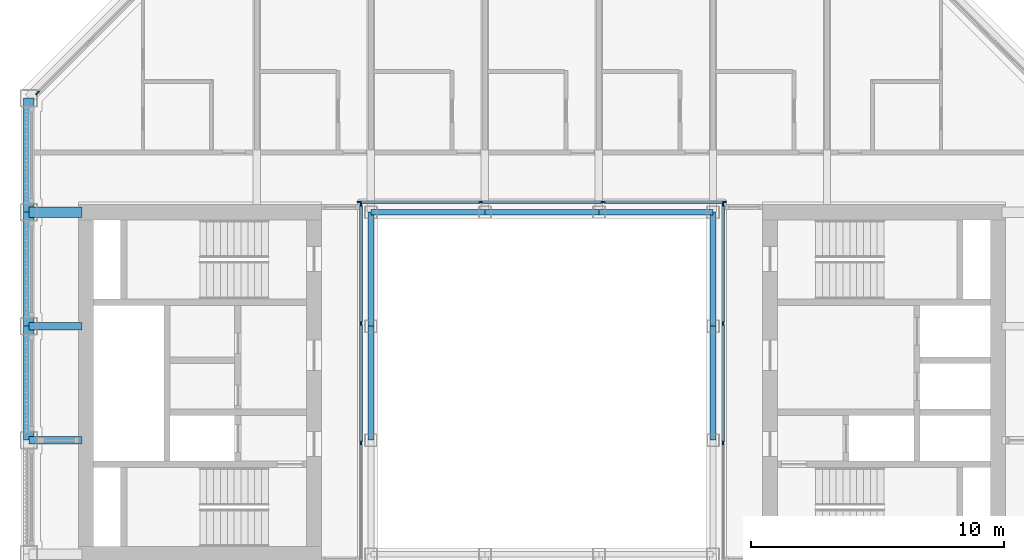
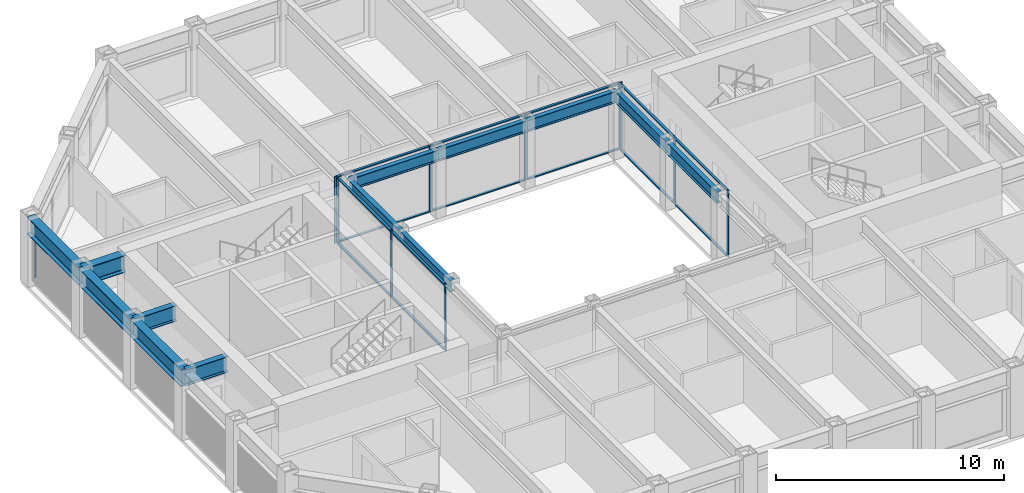
# One storey, part 4 of 18: 25 members, 13 beams, 4 elements without a shape of their own.
"""IFC4 building model written with IfcOpenShell, lengths in metres."""

from ifc_helpers import new_model, si_unit, direction, frame, origin, origin_2d, place, context, subcontext, project, spatial, rectangle, i_section, extrude, material, material_profile, profile_set, type_object, element, aggregate, save


model = new_model("IFC4")

# Units and contexts
model_context = context("Model", 3, precision=1e-05, world=origin(), true_north=direction((0.0, 1.0)))
body_context = subcontext(model_context, "Body", "Model", "MODEL_VIEW")
ifc_project = project(units=[si_unit("LENGTHUNIT", "METRE"), si_unit("AREAUNIT", "SQUARE_METRE"), si_unit("VOLUMEUNIT", "CUBIC_METRE"), si_unit("PLANEANGLEUNIT", "RADIAN"), si_unit("MASSUNIT", "GRAM", prefix="KILO")], contexts=[model_context])

# Site, building, storey
site_placement = place(None, origin())
site = spatial("IfcSite", under=ifc_project, at=site_placement, CompositionType="ELEMENT")
building_placement = place(site_placement, origin())
building = spatial("IfcBuilding", under=site, at=building_placement, Name="Msasa Ring Tower", CompositionType="ELEMENT")
storey_placement = place(building_placement, frame((0.0, 0.0, 204.550048828125)))
storey = spatial("IfcBuildingStorey", under=building, at=storey_placement, Name="L53", CompositionType="ELEMENT", Elevation=204.550048828125)

# Curtain wall, member
ifc_material_1 = material(Name="Aluminium curtain wall with clear glass", Category="aluminium")
curtain_wall_type_1 = type_object("IfcCurtainWallType", Name="CW-C CHAMFER CORNER CURTAIN WALL", PredefinedType="NOTDEFINED", material=ifc_material_1)
curtain_wall_1_placement = place(storey_placement, origin())
curtain_wall_1 = element("IfcCurtainWall", 1, at=curtain_wall_1_placement, inside=storey, type_object=curtain_wall_type_1, Name="Chamfer corner curtain wall NW L53", PredefinedType="NOTDEFINED")
ifc_material_2 = material(Name="Aluminium mullion", Category="aluminium")
ifc_material_profile_1 = material_profile(ifc_material_2, rectangle(XDim=0.06494140625, YDim=0.179931640625, at=origin_2d()), Name="AL 65x180")
ifc_profile_set_1 = profile_set([ifc_material_profile_1], Name="Aluminium mullion")
member_type_1 = type_object("IfcMemberType", Name="CW-C MULLION 65x180", PredefinedType="MULLION", material=ifc_profile_set_1)
member_1_placement = place(storey_placement, frame((-19.9052734375, 11.453369140625, 0.0), z_axis=(0.0, 0.0, 1.0), x_axis=(0.707106781187, -0.707106781187, 0.0)))
member_1 = element("IfcMember", 2, at=member_1_placement, type_object=member_type_1, Name="CW-C mullion 3", PredefinedType="MULLION", context=body_context, shape_type="SweptSolid", body=[
    extrude(rectangle(XDim=0.06494140625, YDim=0.179931640625, at=origin_2d()), origin(), (0.0, 0.0, 1.0), 2.62890625),
])
aggregate(curtain_wall_1, [member_1])

# Curtain wall, members
ifc_material_3 = material(Name="Aluminium curtain wall with clear glass", Category="aluminium")
curtain_wall_type_2 = type_object("IfcCurtainWallType", Name="CW-W LIGHT WELL CURTAIN WALL", PredefinedType="NOTDEFINED", material=ifc_material_3)
curtain_wall_2_placement = place(storey_placement, origin())
curtain_wall_2 = element("IfcCurtainWall", 3, at=curtain_wall_2_placement, inside=storey, type_object=curtain_wall_type_2, Name="Light well curtain wall N L53", PredefinedType="NOTDEFINED")
ifc_material_4 = material(Name="Aluminium mullion", Category="aluminium")
ifc_material_profile_2 = material_profile(ifc_material_4, rectangle(XDim=0.06005859375, YDim=0.159912109375, at=origin_2d()), Name="AL 60x160")
ifc_profile_set_2 = profile_set([ifc_material_profile_2], Name="Aluminium mullion")
member_type_2 = type_object("IfcMemberType", Name="CW-W MULLION 60x160", PredefinedType="MULLION", material=ifc_profile_set_2)
member_2_placement = place(storey_placement, frame((-7.199951171875, 7.14990234375, 0.0), z_axis=(0.0, 0.0, 1.0), x_axis=(0.0, 1.0, 0.0)))
member_2 = element("IfcMember", 4, at=member_2_placement, type_object=member_type_2, Name="CW-W mullion 1", PredefinedType="MULLION", context=body_context, shape_type="SweptSolid", body=[
    extrude(rectangle(XDim=0.06005859375, YDim=0.159912109375, at=origin_2d()), origin(), (0.0, 0.0, 1.0), 3.550048828125),
])
member_3_placement = place(storey_placement, frame((-2.409912109375, 7.14990234375, 0.0), z_axis=(0.0, 0.0, 1.0), x_axis=(0.0, 1.0, 0.0)))
member_3 = element("IfcMember", 5, at=member_3_placement, type_object=member_type_2, Name="CW-W mullion 2", PredefinedType="MULLION", context=body_context, shape_type="SweptSolid", body=[
    extrude(rectangle(XDim=0.06005859375, YDim=0.159912109375, at=origin_2d()), origin(), (0.0, 0.0, 1.0), 3.550048828125),
])
member_4_placement = place(storey_placement, frame((2.409912109375, 7.14990234375, 0.0), z_axis=(0.0, 0.0, 1.0), x_axis=(0.0, 1.0, 0.0)))
member_4 = element("IfcMember", 6, at=member_4_placement, type_object=member_type_2, Name="CW-W mullion 3", PredefinedType="MULLION", context=body_context, shape_type="SweptSolid", body=[
    extrude(rectangle(XDim=0.06005859375, YDim=0.159912109375, at=origin_2d()), origin(), (0.0, 0.0, 1.0), 3.550048828125),
])
member_5_placement = place(storey_placement, frame((7.199951171875, 7.14990234375, 0.0), z_axis=(0.0, 0.0, 1.0), x_axis=(0.0, 1.0, 0.0)))
member_5 = element("IfcMember", 7, at=member_5_placement, type_object=member_type_2, Name="CW-W mullion 4", PredefinedType="MULLION", context=body_context, shape_type="SweptSolid", body=[
    extrude(rectangle(XDim=0.06005859375, YDim=0.159912109375, at=origin_2d()), origin(), (0.0, 0.0, 1.0), 3.550048828125),
])

curtain_wall_3_placement = place(storey_placement, origin())
curtain_wall_3 = element("IfcCurtainWall", 8, at=curtain_wall_3_placement, inside=storey, type_object=curtain_wall_type_2, Name="Light well curtain wall E L53", PredefinedType="NOTDEFINED")
member_6_placement = place(storey_placement, frame((7.14990234375, -2.356689453125, 0.0), z_axis=(0.0, 0.0, 1.0), x_axis=(-1.0, 0.0, 0.0)))
member_6 = element("IfcMember", 9, at=member_6_placement, type_object=member_type_2, Name="CW-W mullion 2", PredefinedType="MULLION", context=body_context, shape_type="SweptSolid", body=[
    extrude(rectangle(XDim=0.06005859375, YDim=0.159912109375, at=origin_2d()), origin(), (0.0, 0.0, 1.0), 3.550048828125),
])
member_7_placement = place(storey_placement, frame((7.14990234375, 2.356689453125, 0.0), z_axis=(0.0, 0.0, 1.0), x_axis=(-1.0, 0.0, 0.0)))
member_7 = element("IfcMember", 10, at=member_7_placement, type_object=member_type_2, Name="CW-W mullion 3", PredefinedType="MULLION", context=body_context, shape_type="SweptSolid", body=[
    extrude(rectangle(XDim=0.06005859375, YDim=0.159912109375, at=origin_2d()), origin(), (0.0, 0.0, 1.0), 3.550048828125),
])
member_8_placement = place(storey_placement, frame((7.14990234375, 7.0400390625, 0.0), z_axis=(0.0, 0.0, 1.0), x_axis=(-1.0, 0.0, 0.0)))
member_8 = element("IfcMember", 11, at=member_8_placement, type_object=member_type_2, Name="CW-W mullion 4", PredefinedType="MULLION", context=body_context, shape_type="SweptSolid", body=[
    extrude(rectangle(XDim=0.06005859375, YDim=0.159912109375, at=origin_2d()), origin(), (0.0, 0.0, 1.0), 3.550048828125),
])

curtain_wall_4_placement = place(storey_placement, origin())
curtain_wall_4 = element("IfcCurtainWall", 12, at=curtain_wall_4_placement, inside=storey, type_object=curtain_wall_type_2, Name="Light well curtain wall W L53", PredefinedType="NOTDEFINED")
member_9_placement = place(storey_placement, frame((-7.14990234375, -2.356689453125, 0.0), z_axis=(0.0, 0.0, 1.0), x_axis=(-1.0, 0.0, 0.0)))
member_9 = element("IfcMember", 13, at=member_9_placement, type_object=member_type_2, Name="CW-W mullion 2", PredefinedType="MULLION", context=body_context, shape_type="SweptSolid", body=[
    extrude(rectangle(XDim=0.06005859375, YDim=0.159912109375, at=origin_2d()), origin(), (0.0, 0.0, 1.0), 3.550048828125),
])
member_10_placement = place(storey_placement, frame((-7.14990234375, 2.356689453125, 0.0), z_axis=(0.0, 0.0, 1.0), x_axis=(-1.0, 0.0, 0.0)))
member_10 = element("IfcMember", 14, at=member_10_placement, type_object=member_type_2, Name="CW-W mullion 3", PredefinedType="MULLION", context=body_context, shape_type="SweptSolid", body=[
    extrude(rectangle(XDim=0.06005859375, YDim=0.159912109375, at=origin_2d()), origin(), (0.0, 0.0, 1.0), 3.550048828125),
])
member_11_placement = place(storey_placement, frame((-7.14990234375, 7.0400390625, 0.0), z_axis=(0.0, 0.0, 1.0), x_axis=(-1.0, 0.0, 0.0)))
member_11 = element("IfcMember", 15, at=member_11_placement, type_object=member_type_2, Name="CW-W mullion 4", PredefinedType="MULLION", context=body_context, shape_type="SweptSolid", body=[
    extrude(rectangle(XDim=0.06005859375, YDim=0.159912109375, at=origin_2d()), origin(), (0.0, 0.0, 1.0), 3.550048828125),
])

# Member
ifc_material_5 = material(Name="Aluminium transom", Category="aluminium")
ifc_material_profile_3 = material_profile(ifc_material_5, rectangle(XDim=0.1201171875, YDim=0.06005859375, at=origin_2d()), Name="AL 60x120")
ifc_profile_set_3 = profile_set([ifc_material_profile_3], Name="Aluminium transom")
member_type_3 = type_object("IfcMemberType", Name="CW-W TRANSOM 60x120", PredefinedType="USERDEFINED", material=ifc_profile_set_3)
member_12_placement = place(storey_placement, frame((-7.169921875, 7.14990234375, 0.030029296875), z_axis=(1.0, 0.0, 0.0), x_axis=(0.0, 1.0, 0.0)))
member_12 = element("IfcMember", 16, at=member_12_placement, type_object=member_type_3, Name="CW-W transom 1.1", ObjectType="TRANSOM", PredefinedType="USERDEFINED", context=body_context, shape_type="SweptSolid", body=[
    extrude(rectangle(XDim=0.1201171875, YDim=0.06005859375, at=origin_2d()), origin(), (0.0, 0.0, 1.0), 4.72998046875),
])

member_13_placement = place(storey_placement, frame((-7.169921875, 7.14990234375, 3.52001953125), z_axis=(1.0, 0.0, 0.0), x_axis=(0.0, 1.0, 0.0)))
member_13 = element("IfcMember", 17, at=member_13_placement, type_object=member_type_3, Name="CW-W transom 1.2", ObjectType="TRANSOM", PredefinedType="USERDEFINED", context=body_context, shape_type="SweptSolid", body=[
    extrude(rectangle(XDim=0.1201171875, YDim=0.06005859375, at=origin_2d()), origin(), (0.0, 0.0, 1.0), 4.72998046875),
])

member_14_placement = place(storey_placement, frame((-2.3798828125, 7.14990234375, 0.030029296875), z_axis=(1.0, 0.0, 0.0), x_axis=(0.0, 1.0, 0.0)))
member_14 = element("IfcMember", 18, at=member_14_placement, type_object=member_type_3, Name="CW-W transom 2.1", ObjectType="TRANSOM", PredefinedType="USERDEFINED", context=body_context, shape_type="SweptSolid", body=[
    extrude(rectangle(XDim=0.1201171875, YDim=0.06005859375, at=origin_2d()), origin(), (0.0, 0.0, 1.0), 4.759765625),
])

member_15_placement = place(storey_placement, frame((-2.3798828125, 7.14990234375, 3.52001953125), z_axis=(1.0, 0.0, 0.0), x_axis=(0.0, 1.0, 0.0)))
member_15 = element("IfcMember", 19, at=member_15_placement, type_object=member_type_3, Name="CW-W transom 2.2", ObjectType="TRANSOM", PredefinedType="USERDEFINED", context=body_context, shape_type="SweptSolid", body=[
    extrude(rectangle(XDim=0.1201171875, YDim=0.06005859375, at=origin_2d()), origin(), (0.0, 0.0, 1.0), 4.759765625),
])

member_16_placement = place(storey_placement, frame((2.43994140625, 7.14990234375, 0.030029296875), z_axis=(1.0, 0.0, 0.0), x_axis=(0.0, 1.0, 0.0)))
member_16 = element("IfcMember", 20, at=member_16_placement, type_object=member_type_3, Name="CW-W transom 3.1", ObjectType="TRANSOM", PredefinedType="USERDEFINED", context=body_context, shape_type="SweptSolid", body=[
    extrude(rectangle(XDim=0.1201171875, YDim=0.06005859375, at=origin_2d()), origin(), (0.0, 0.0, 1.0), 4.72998046875),
])

member_17_placement = place(storey_placement, frame((2.43994140625, 7.14990234375, 3.52001953125), z_axis=(1.0, 0.0, 0.0), x_axis=(0.0, 1.0, 0.0)))
member_17 = element("IfcMember", 21, at=member_17_placement, type_object=member_type_3, Name="CW-W transom 3.2", ObjectType="TRANSOM", PredefinedType="USERDEFINED", context=body_context, shape_type="SweptSolid", body=[
    extrude(rectangle(XDim=0.1201171875, YDim=0.06005859375, at=origin_2d()), origin(), (0.0, 0.0, 1.0), 4.72998046875),
])

aggregate(curtain_wall_2, [member_2, member_3, member_4, member_5, member_12, member_13, member_14, member_15, member_16, member_17])

member_18_placement = place(storey_placement, frame((7.14990234375, -2.32666015625, 0.030029296875), z_axis=(0.0, 1.0, 0.0), x_axis=(-1.0, 0.0, 0.0)))
member_18 = element("IfcMember", 22, at=member_18_placement, type_object=member_type_3, Name="CW-W transom 2.1", ObjectType="TRANSOM", PredefinedType="USERDEFINED", context=body_context, shape_type="SweptSolid", body=[
    extrude(rectangle(XDim=0.1201171875, YDim=0.06005859375, at=origin_2d()), origin(), (0.0, 0.0, 1.0), 4.6533203125),
])

member_19_placement = place(storey_placement, frame((7.14990234375, -2.32666015625, 3.52001953125), z_axis=(0.0, 1.0, 0.0), x_axis=(-1.0, 0.0, 0.0)))
member_19 = element("IfcMember", 23, at=member_19_placement, type_object=member_type_3, Name="CW-W transom 2.2", ObjectType="TRANSOM", PredefinedType="USERDEFINED", context=body_context, shape_type="SweptSolid", body=[
    extrude(rectangle(XDim=0.1201171875, YDim=0.06005859375, at=origin_2d()), origin(), (0.0, 0.0, 1.0), 4.6533203125),
])

member_20_placement = place(storey_placement, frame((7.14990234375, 2.38671875, 0.030029296875), z_axis=(0.0, 1.0, 0.0), x_axis=(-1.0, 0.0, 0.0)))
member_20 = element("IfcMember", 24, at=member_20_placement, type_object=member_type_3, Name="CW-W transom 3.1", ObjectType="TRANSOM", PredefinedType="USERDEFINED", context=body_context, shape_type="SweptSolid", body=[
    extrude(rectangle(XDim=0.1201171875, YDim=0.06005859375, at=origin_2d()), origin(), (0.0, 0.0, 1.0), 4.623291015625),
])

member_21_placement = place(storey_placement, frame((7.14990234375, 2.38671875, 3.52001953125), z_axis=(0.0, 1.0, 0.0), x_axis=(-1.0, 0.0, 0.0)))
member_21 = element("IfcMember", 25, at=member_21_placement, type_object=member_type_3, Name="CW-W transom 3.2", ObjectType="TRANSOM", PredefinedType="USERDEFINED", context=body_context, shape_type="SweptSolid", body=[
    extrude(rectangle(XDim=0.1201171875, YDim=0.06005859375, at=origin_2d()), origin(), (0.0, 0.0, 1.0), 4.623291015625),
])

aggregate(curtain_wall_3, [member_6, member_7, member_8, member_18, member_19, member_20, member_21])

member_22_placement = place(storey_placement, frame((-7.14990234375, -2.32666015625, 0.030029296875), z_axis=(0.0, 1.0, 0.0), x_axis=(-1.0, 0.0, 0.0)))
member_22 = element("IfcMember", 26, at=member_22_placement, type_object=member_type_3, Name="CW-W transom 2.1", ObjectType="TRANSOM", PredefinedType="USERDEFINED", context=body_context, shape_type="SweptSolid", body=[
    extrude(rectangle(XDim=0.1201171875, YDim=0.06005859375, at=origin_2d()), origin(), (0.0, 0.0, 1.0), 4.6533203125),
])

member_23_placement = place(storey_placement, frame((-7.14990234375, -2.32666015625, 3.52001953125), z_axis=(0.0, 1.0, 0.0), x_axis=(-1.0, 0.0, 0.0)))
member_23 = element("IfcMember", 27, at=member_23_placement, type_object=member_type_3, Name="CW-W transom 2.2", ObjectType="TRANSOM", PredefinedType="USERDEFINED", context=body_context, shape_type="SweptSolid", body=[
    extrude(rectangle(XDim=0.1201171875, YDim=0.06005859375, at=origin_2d()), origin(), (0.0, 0.0, 1.0), 4.6533203125),
])

member_24_placement = place(storey_placement, frame((-7.14990234375, 2.38671875, 0.030029296875), z_axis=(0.0, 1.0, 0.0), x_axis=(-1.0, 0.0, 0.0)))
member_24 = element("IfcMember", 28, at=member_24_placement, type_object=member_type_3, Name="CW-W transom 3.1", ObjectType="TRANSOM", PredefinedType="USERDEFINED", context=body_context, shape_type="SweptSolid", body=[
    extrude(rectangle(XDim=0.1201171875, YDim=0.06005859375, at=origin_2d()), origin(), (0.0, 0.0, 1.0), 4.623291015625),
])

member_25_placement = place(storey_placement, frame((-7.14990234375, 2.38671875, 3.52001953125), z_axis=(0.0, 1.0, 0.0), x_axis=(-1.0, 0.0, 0.0)))
member_25 = element("IfcMember", 29, at=member_25_placement, type_object=member_type_3, Name="CW-W transom 3.2", ObjectType="TRANSOM", PredefinedType="USERDEFINED", context=body_context, shape_type="SweptSolid", body=[
    extrude(rectangle(XDim=0.1201171875, YDim=0.06005859375, at=origin_2d()), origin(), (0.0, 0.0, 1.0), 4.623291015625),
])

aggregate(curtain_wall_4, [member_9, member_10, member_11, member_22, member_23, member_24, member_25])

# Beams
ifc_material_6 = material(Name="Steel S355", Category="steel")
ifc_material_profile_4 = material_profile(ifc_material_6, i_section(OverallWidth=0.293701171875, OverallDepth=0.850830078125, WebThickness=0.01611328125, FlangeThickness=0.02685546875, FilletRadius=0.017822265625, at=origin_2d()), Name="UB 838x292x226")
ifc_profile_set_4 = profile_set([ifc_material_profile_4], Name="Steel S355")
beam_type_1 = type_object("IfcBeamType", Name="FB5 UB 838x292x226", PredefinedType="BEAM", material=ifc_profile_set_4)
for number, where, z_axis, x_axis, name in (
    (30, (-20.25, -2.25, 3.12451171875), (1.0, 0.0, 0.0), (0.0, 1.0, 0.0), "Floor beam W -2.25 under L54"),
    (31, (-20.25, 2.25, 3.12451171875), (1.0, 0.0, 0.0), (0.0, 1.0, 0.0), "Floor beam W +2.25 under L54"),
):
    element("IfcBeam", number, at=place(storey_placement, frame(where, z_axis=z_axis, x_axis=x_axis)), inside=storey, type_object=beam_type_1, Name=name, PredefinedType="BEAM", context=body_context, shape_type="SweptSolid", body=[
        extrude(i_section(OverallWidth=0.293701171875, OverallDepth=0.850830078125, WebThickness=0.01611328125, FlangeThickness=0.02685546875, FilletRadius=0.017822265625, at=origin_2d()), origin(), (0.0, 0.0, 1.0), 2.10009765625),
    ])
ifc_material_7 = material(Name="Steel S355", Category="steel")
ifc_material_profile_5 = material_profile(ifc_material_7, i_section(OverallWidth=0.42041015625, OverallDepth=0.9208984375, WebThickness=0.021484375, FlangeThickness=0.03662109375, FilletRadius=0.024169921875, at=origin_2d()), Name="UB 914x419x388")
ifc_profile_set_5 = profile_set([ifc_material_profile_5], Name="Steel S355")
beam_type_2 = type_object("IfcBeamType", Name="GB1 UB 914x419x388", PredefinedType="BEAM", material=ifc_profile_set_5)
beam_placement = place(storey_placement, frame((-18.14990234375, 6.75, 3.08935546875), z_axis=(-1.0, 0.0, 0.0), x_axis=(0.0, -1.0, 0.0)))
element("IfcBeam", 32, at=beam_placement, inside=storey, type_object=beam_type_2, Name="Girder W +6.75 under L54", PredefinedType="BEAM", context=body_context, shape_type="SweptSolid", body=[
    extrude(i_section(OverallWidth=0.42041015625, OverallDepth=0.9208984375, WebThickness=0.021484375, FlangeThickness=0.03662109375, FilletRadius=0.024169921875, at=origin_2d()), origin(), (0.0, 0.0, 1.0), 2.10009765625),
])
ifc_material_8 = material(Name="Steel S355", Category="steel")
ifc_material_profile_6 = material_profile(ifc_material_8, i_section(OverallWidth=0.230224609375, OverallDepth=0.6171875, WebThickness=0.01318359375, FlangeThickness=0.022216796875, FilletRadius=0.0126953125, at=origin_2d()), Name="UB 610x229x140")
ifc_profile_set_6 = profile_set([ifc_material_profile_6], Name="Steel S355")
beam_type_3 = type_object("IfcBeamType", Name="RB1 UB 610x229x140", PredefinedType="BEAM", material=ifc_profile_set_6)
for number, where, z_axis, x_axis, name in (
    (33, (6.75, -2.25, 3.241455078125), (0.0, 1.0, 0.0), (-1.0, 0.0, 0.0), "Inner ring beam IR+6.75-2.25 under L54"),
    (34, (6.75, 2.25, 3.241455078125), (0.0, 1.0, 0.0), (-1.0, 0.0, 0.0), "Inner ring beam IR+6.75+2.25 under L54"),
    (35, (6.75, 6.75, 3.241455078125), (-1.0, 0.0, 0.0), (0.0, -1.0, 0.0), "Inner ring beam IR+6.75+6.75 under L54"),
    (36, (2.25, 6.75, 3.241455078125), (-1.0, 0.0, 0.0), (0.0, -1.0, 0.0), "Inner ring beam IR+2.25+6.75 under L54"),
    (37, (-2.25, 6.75, 3.241455078125), (-1.0, 0.0, 0.0), (0.0, -1.0, 0.0), "Inner ring beam IR-2.25+6.75 under L54"),
    (38, (-6.75, 6.75, 3.241455078125), (0.0, -1.0, 0.0), (1.0, 0.0, 0.0), "Inner ring beam IR-6.75+6.75 under L54"),
    (39, (-6.75, 2.25, 3.241455078125), (0.0, -1.0, 0.0), (1.0, 0.0, 0.0), "Inner ring beam IR-6.75+2.25 under L54"),
):
    element("IfcBeam", number, at=place(storey_placement, frame(where, z_axis=z_axis, x_axis=x_axis)), inside=storey, type_object=beam_type_3, Name=name, PredefinedType="BEAM", context=body_context, shape_type="SweptSolid", body=[
        extrude(i_section(OverallWidth=0.230224609375, OverallDepth=0.6171875, WebThickness=0.01318359375, FlangeThickness=0.022216796875, FilletRadius=0.0126953125, at=origin_2d()), origin(), (0.0, 0.0, 1.0), 4.5),
    ])
ifc_material_9 = material(Name="Steel S355", Category="steel")
ifc_material_profile_7 = material_profile(ifc_material_9, i_section(OverallWidth=0.42041015625, OverallDepth=0.9208984375, WebThickness=0.021484375, FlangeThickness=0.03662109375, FilletRadius=0.024169921875, at=origin_2d()), Name="UB 914x419x388")
ifc_profile_set_7 = profile_set([ifc_material_profile_7], Name="Steel S355")
beam_type_4 = type_object("IfcBeamType", Name="SB1 UB 914x419x388", PredefinedType="SPANDREL", material=ifc_profile_set_7)
for number, where, z_axis, x_axis, name in (
    (40, (-20.25, 11.25, 3.08935546875), (0.0, -1.0, 0.0), (1.0, 0.0, 0.0), "Spandrel W+11.25 to W+6.75 under L54"),
    (41, (-20.25, 6.75, 3.08935546875), (0.0, -1.0, 0.0), (1.0, 0.0, 0.0), "Spandrel W+6.75 to W+2.25 under L54"),
    (42, (-20.25, 2.25, 3.08935546875), (0.0, -1.0, 0.0), (1.0, 0.0, 0.0), "Spandrel W+2.25 to W-2.25 under L54"),
):
    element("IfcBeam", number, at=place(storey_placement, frame(where, z_axis=z_axis, x_axis=x_axis)), inside=storey, type_object=beam_type_4, Name=name, PredefinedType="SPANDREL", context=body_context, shape_type="SweptSolid", body=[
        extrude(i_section(OverallWidth=0.42041015625, OverallDepth=0.9208984375, WebThickness=0.021484375, FlangeThickness=0.03662109375, FilletRadius=0.024169921875, at=origin_2d()), origin(), (0.0, 0.0, 1.0), 4.5),
    ])

save(model, "model.ifc")
